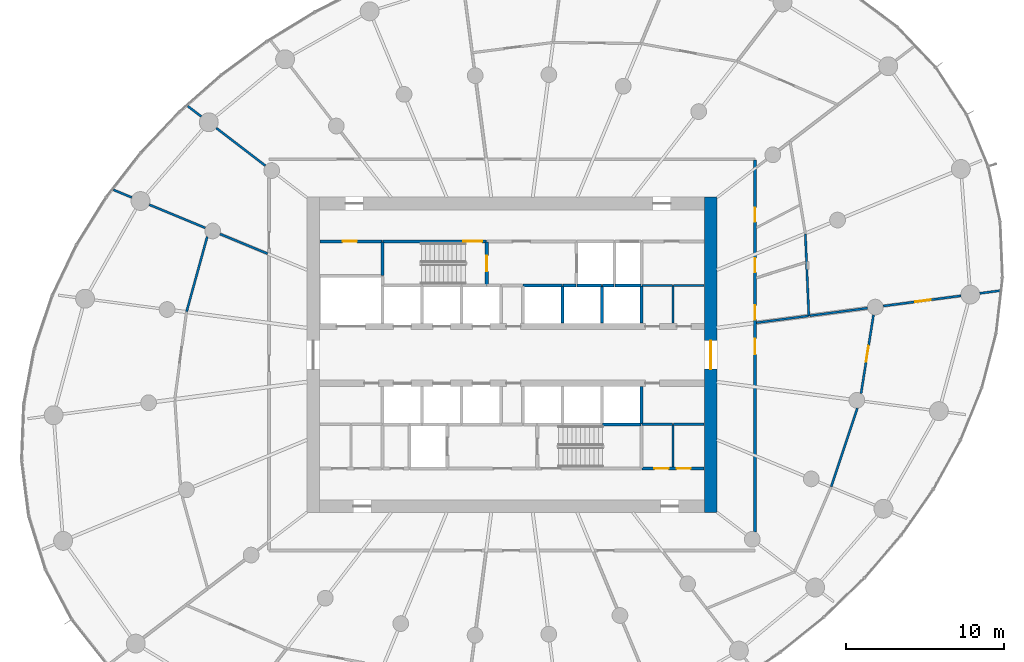
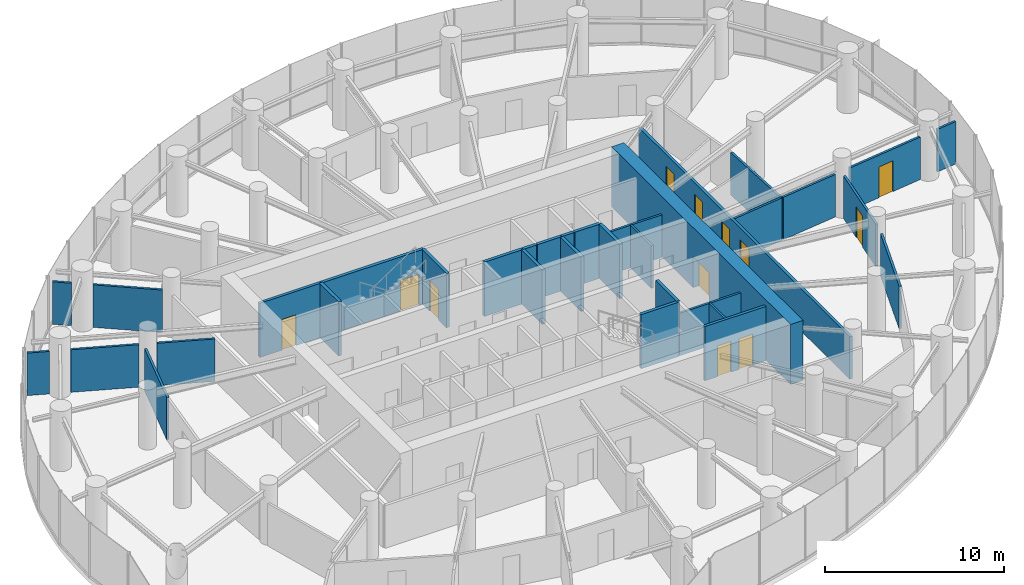
# One storey, part 12 of 17: 36 walls, 12 doors, 12 openings.
"""IFC4 building model written with IfcOpenShell, lengths in metres."""

from ifc_helpers import new_model, si_unit, direction, frame, frame_2d, origin, place, context, subcontext, project, spatial, rectangle, extrude, source, transform, mapped, material, layer, layer_set, type_object, element, fill, save


model = new_model("IFC4")

# Units and contexts
model_context = context("Model", 3, precision=1e-05, world=origin(), true_north=direction((0.0, 1.0)))
body_context = subcontext(model_context, "Body", "Model", "MODEL_VIEW")
ifc_project = project(units=[si_unit("LENGTHUNIT", "METRE"), si_unit("AREAUNIT", "SQUARE_METRE"), si_unit("VOLUMEUNIT", "CUBIC_METRE"), si_unit("PLANEANGLEUNIT", "RADIAN"), si_unit("MASSUNIT", "GRAM", prefix="KILO")], contexts=[model_context])

# Site, building, storey
site_placement = place(None, origin())
site = spatial("IfcSite", under=ifc_project, at=site_placement, CompositionType="ELEMENT")
building_placement = place(site_placement, origin())
building = spatial("IfcBuilding", under=site, at=building_placement, Name="Spindrift Exchange Tower", CompositionType="ELEMENT")
storey_placement = place(building_placement, frame((0.0, 0.0, 112.60009765625)))
storey = spatial("IfcBuildingStorey", under=building, at=storey_placement, Name="L26", CompositionType="ELEMENT", Elevation=112.60009765625)

# Wall, opening, door
ifc_material_1 = material(Name="Concrete 65 MPa", Category="concrete")
ifc_layer_1 = layer(ifc_material_1, 0.800048828125)
ifc_layer_set_1 = layer_set([ifc_layer_1], Name="RC Core Wall 800 Concrete 65 MPa")
wall_type_1 = type_object("IfcWallType", Name="RC Core Wall 800 Concrete 65 MPa", PredefinedType="SHEAR", material=ifc_layer_set_1)
wall_1_placement = place(storey_placement, frame((64.60009765625, 38.0, 0.0), z_axis=(0.0, 0.0, 1.0), x_axis=(0.0, 1.0, 0.0)))
wall_1 = element("IfcWall", 1, at=wall_1_placement, inside=storey, type_object=wall_type_1, Name="Core wall E L26", PredefinedType="SHEAR", context=body_context, shape_type="SweptSolid", body=[
    extrude(rectangle(XDim=20.0, YDim=0.800048828125, at=frame_2d((10.0, 0.0))), origin(), (0.0, 0.0, 1.0), 4.099853515625),
])
opening_1_placement = place(wall_1_placement, frame((9.10009765625, 0.0, 0.0)))
opening_1 = element("IfcOpeningElement", 2, at=opening_1_placement, cuts=wall_1, Name="Opening L26-D2", PredefinedType="OPENING", context=body_context, shape_type="SweptSolid", body=[
    extrude(rectangle(XDim=1.800048828125, YDim=2.10009765625, at=frame_2d((0.89990234375, 1.050048828125))), frame((0.0, 0.409912109375, 0.0), z_axis=(0.0, -1.0, 0.0), x_axis=(1.0, 0.0, 0.0)), (0.0, 0.0, 1.0), 0.820068359375),
])
ifc_material_2 = material(Name="Timber-core fire door", Category="wood")
door_type_1 = type_object("IfcDoorType", Name="DR-LOBBY-1800", OperationType="NOTDEFINED", PredefinedType="DOOR", material=ifc_material_2)
shared_shape_1 = source(origin(), body_context, "Body", "SweptSolid", [
    extrude(rectangle(XDim=1.800048828125, YDim=2.10009765625, at=frame_2d((0.89990234375, 1.050048828125))), frame((0.0, 0.02490234375, 0.0), z_axis=(0.0, -1.0, 0.0), x_axis=(1.0, 0.0, 0.0)), (0.0, 0.0, 1.0), 0.050048828125),
])
door_1_placement = place(opening_1_placement, origin())
door_1 = element("IfcDoor", 3, at=door_1_placement, inside=storey, type_object=door_type_1, Name="L26 Lobby door 2", OperationType="SINGLE_SWING_RIGHT", OverallHeight=2.10009765625, OverallWidth=1.800048828125, PredefinedType="DOOR", context=body_context, shape_type="MappedRepresentation", body=[
    mapped(shared_shape_1, transform((0.0, 0.0, 0.0), scale=1.0)),
])
fill(opening_1, door_1)

# Wall, openings, doors
ifc_material_3 = material(Name="Fire-rated plasterboard partition", Category="gypsum")
ifc_layer_2 = layer(ifc_material_3, 0.179931640625)
ifc_layer_set_2 = layer_set([ifc_layer_2], Name="W-CORR-180")
wall_type_2 = type_object("IfcWallType", Name="W-CORR-180", PredefinedType="PARTITIONING", material=ifc_layer_set_2)
wall_2_placement = place(storey_placement, frame((60.22998046875, 40.800048828125, 0.0), z_axis=(0.0, 0.0, 1.0), x_axis=(1.0, 0.0, 0.0)))
wall_2 = element("IfcWall", 4, at=wall_2_placement, inside=storey, type_object=wall_type_2, Name="L26 Partition wall 61", PredefinedType="PARTITIONING", context=body_context, shape_type="SweptSolid", body=[
    extrude(rectangle(XDim=3.949951171875, YDim=0.179931640625, at=frame_2d((1.97509765625, 0.0))), origin(), (0.0, 0.0, 1.0), 3.699951171875),
])
opening_2_placement = place(wall_2_placement, frame((0.800048828125, 0.0, 0.0)))
opening_2 = element("IfcOpeningElement", 5, at=opening_2_placement, cuts=wall_2, Name="Opening L26-D53", PredefinedType="OPENING", context=body_context, shape_type="SweptSolid", body=[
    extrude(rectangle(XDim=0.89990234375, YDim=2.10009765625, at=frame_2d((0.449951171875, 1.050048828125))), frame((0.0, 0.099853515625, 0.0), z_axis=(0.0, -1.0, 0.0), x_axis=(1.0, 0.0, 0.0)), (0.0, 0.0, 1.0), 0.199951171875),
])
opening_3_placement = place(wall_2_placement, frame((2.199951171875, 0.0, 0.0)))
opening_3 = element("IfcOpeningElement", 6, at=opening_3_placement, cuts=wall_2, Name="Opening L26-D54", PredefinedType="OPENING", context=body_context, shape_type="SweptSolid", body=[
    extrude(rectangle(XDim=0.89990234375, YDim=2.10009765625, at=frame_2d((0.449951171875, 1.050048828125))), frame((0.0, 0.099853515625, 0.0), z_axis=(0.0, -1.0, 0.0), x_axis=(1.0, 0.0, 0.0)), (0.0, 0.0, 1.0), 0.199951171875),
])
ifc_material_4 = material(Name="Steel access door", Category="steel")
door_type_2 = type_object("IfcDoorType", Name="DR-RISER-900", OperationType="NOTDEFINED", PredefinedType="DOOR", material=ifc_material_4)
shared_shape_2 = source(origin(), body_context, "Body", "SweptSolid", [
    extrude(rectangle(XDim=0.89990234375, YDim=2.10009765625, at=frame_2d((0.449951171875, 1.050048828125))), frame((0.0, 0.02490234375, 0.0), z_axis=(0.0, -1.0, 0.0), x_axis=(1.0, 0.0, 0.0)), (0.0, 0.0, 1.0), 0.050048828125),
])
door_2_placement = place(opening_2_placement, origin())
door_2 = element("IfcDoor", 7, at=door_2_placement, inside=storey, type_object=door_type_2, Name="L26 Riser door 53", OperationType="SINGLE_SWING_LEFT", OverallHeight=2.10009765625, OverallWidth=0.89990234375, PredefinedType="DOOR", context=body_context, shape_type="MappedRepresentation", body=[
    mapped(shared_shape_2, transform((0.0, 0.0, 0.0), scale=1.0)),
])
fill(opening_2, door_2)
door_3_placement = place(opening_3_placement, origin())
door_3 = element("IfcDoor", 8, at=door_3_placement, inside=storey, type_object=door_type_2, Name="L26 Riser door 54", OperationType="SINGLE_SWING_RIGHT", OverallHeight=2.10009765625, OverallWidth=0.89990234375, PredefinedType="DOOR", context=body_context, shape_type="MappedRepresentation", body=[
    mapped(shared_shape_2, transform((0.0, 0.0, 0.0), scale=1.0)),
])
fill(opening_3, door_3)

# Wall, opening, door
wall_3_placement = place(storey_placement, frame((43.77001953125, 55.199951171875, 0.0), z_axis=(0.0, 0.0, 1.0), x_axis=(-1.0, 0.0, 0.0)))
wall_3 = element("IfcWall", 9, at=wall_3_placement, inside=storey, type_object=wall_type_2, Name="L26 Partition wall 64", PredefinedType="PARTITIONING", context=body_context, shape_type="SweptSolid", body=[
    extrude(rectangle(XDim=3.949951171875, YDim=0.179931640625, at=frame_2d((1.97509765625, 0.0))), origin(), (0.0, 0.0, 1.0), 3.699951171875),
])
opening_4_placement = place(wall_3_placement, frame((1.60009765625, 0.0, 0.0)))
opening_4 = element("IfcOpeningElement", 10, at=opening_4_placement, cuts=wall_3, Name="Opening L26-D46", PredefinedType="OPENING", context=body_context, shape_type="SweptSolid", body=[
    extrude(rectangle(XDim=0.89990234375, YDim=2.10009765625, at=frame_2d((0.449951171875, 1.050048828125))), frame((0.0, 0.099853515625, 0.0), z_axis=(0.0, -1.0, 0.0), x_axis=(1.0, 0.0, 0.0)), (0.0, 0.0, 1.0), 0.199951171875),
])
door_4_placement = place(opening_4_placement, origin())
door_4 = element("IfcDoor", 11, at=door_4_placement, inside=storey, type_object=door_type_2, Name="L26 Riser door 46", OperationType="SINGLE_SWING_RIGHT", OverallHeight=2.10009765625, OverallWidth=0.89990234375, PredefinedType="DOOR", context=body_context, shape_type="MappedRepresentation", body=[
    mapped(shared_shape_2, transform((0.0, 0.0, 0.0), scale=1.0)),
])
fill(opening_4, door_4)

# Walls
ifc_layer_3 = layer(ifc_material_3, 0.139892578125)
ifc_layer_set_3 = layer_set([ifc_layer_3], Name="W-PART-140")
wall_type_3 = type_object("IfcWallType", Name="W-PART-140", PredefinedType="PARTITIONING", material=ifc_layer_set_3)
wall_4_placement = place(storey_placement, frame((62.199951171875, 40.889892578125, 0.0), z_axis=(0.0, 0.0, 1.0), x_axis=(0.0, 1.0, 0.0)))
element("IfcWall", 12, at=wall_4_placement, inside=storey, type_object=wall_type_3, Name="L26 Partition wall 105", PredefinedType="PARTITIONING", context=body_context, shape_type="SweptSolid", body=[
    extrude(rectangle(XDim=2.710205078125, YDim=0.139892578125, at=frame_2d((1.35498046875, 0.0))), origin(), (0.0, 0.0, 1.0), 2.89990234375),
])
wall_5_placement = place(storey_placement, frame((62.199951171875, 50.010009765625, 0.0), z_axis=(0.0, 0.0, 1.0), x_axis=(0.0, 1.0, 0.0)))
element("IfcWall", 13, at=wall_5_placement, inside=storey, type_object=wall_type_3, Name="L26 Partition wall 107", PredefinedType="PARTITIONING", context=body_context, shape_type="SweptSolid", body=[
    extrude(rectangle(XDim=2.389892578125, YDim=0.139892578125, at=frame_2d((1.19482421875, 0.0))), origin(), (0.0, 0.0, 1.0), 2.89990234375),
])
for number, where, z_axis, x_axis, name in (
    (14, (60.22998046875, 43.60009765625, 0.0), (0.0, 0.0, 1.0), (1.0, 0.0, 0.0), "L26 Partition wall 111"),
    (15, (62.169921875, 52.39990234375, 0.0), (0.0, 0.0, 1.0), (-1.0, 0.0, 0.0), "L26 Partition wall 112"),
):
    element("IfcWall", number, at=place(storey_placement, frame(where, z_axis=z_axis, x_axis=x_axis)), inside=storey, type_object=wall_type_3, Name=name, PredefinedType="PARTITIONING", context=body_context, shape_type="SweptSolid", body=[
        extrude(rectangle(XDim=1.93994140625, YDim=0.139892578125, at=frame_2d((0.969970703125, 0.0))), origin(), (0.0, 0.0, 1.0), 2.89990234375),
    ])
for number, where, z_axis, x_axis, name in (
    (16, (62.22998046875, 43.60009765625, 0.0), (0.0, 0.0, 1.0), (1.0, 0.0, 0.0), "L26 Partition wall 113"),
    (17, (64.179931640625, 52.39990234375, 0.0), (0.0, 0.0, 1.0), (-1.0, 0.0, 0.0), "L26 Partition wall 114"),
):
    element("IfcWall", number, at=place(storey_placement, frame(where, z_axis=z_axis, x_axis=x_axis)), inside=storey, type_object=wall_type_3, Name=name, PredefinedType="PARTITIONING", context=body_context, shape_type="SweptSolid", body=[
        extrude(rectangle(XDim=1.949951171875, YDim=0.139892578125, at=frame_2d((0.97509765625, 0.0))), origin(), (0.0, 0.0, 1.0), 2.89990234375),
    ])
ifc_layer_4 = layer(ifc_material_3, 0.139892578125)
ifc_layer_set_4 = layer_set([ifc_layer_4], Name="W-PLANT-140")
wall_type_4 = type_object("IfcWallType", Name="W-PLANT-140", PredefinedType="PARTITIONING", material=ifc_layer_set_4)
wall_6_placement = place(storey_placement, frame((72.231689453125, 39.652099609375, 0.0), z_axis=(0.0, 0.0, 1.0), x_axis=(0.317667743924, 0.948202090522, 0.0)))
element("IfcWall", 18, at=wall_6_placement, inside=storey, type_object=wall_type_4, Name="L26 Partition wall 77", PredefinedType="PARTITIONING", context=body_context, shape_type="SweptSolid", body=[
    extrude(rectangle(XDim=5.237548828125, YDim=0.139892578125, at=frame_2d((2.61865234375, 0.0))), origin(), (0.0, 0.0, 1.0), 2.89990234375),
])
wall_7_placement = place(storey_placement, frame((70.81787109375, 50.477294921875, 0.0), z_axis=(0.0, 0.0, 1.0), x_axis=(-0.042585515892, 0.999092825435, 0.0)))
element("IfcWall", 19, at=wall_7_placement, inside=storey, type_object=wall_type_4, Name="L26 Partition wall 78", PredefinedType="PARTITIONING", context=body_context, shape_type="SweptSolid", body=[
    extrude(rectangle(XDim=5.19970703125, YDim=0.139892578125, at=frame_2d((2.599853515625, 0.0))), origin(), (0.0, 0.0, 1.0), 2.89990234375),
])

# Wall, opening, door
wall_8_placement = place(storey_placement, frame((74.917724609375, 50.54150390625, 0.0), z_axis=(0.0, 0.0, 1.0), x_axis=(-0.156369508579, -0.987698626498, 0.0)))
wall_8 = element("IfcWall", 20, at=wall_8_placement, inside=storey, type_object=wall_type_4, Name="L26 Partition wall 80", PredefinedType="PARTITIONING", context=body_context, shape_type="SweptSolid", body=[
    extrude(rectangle(XDim=5.052490234375, YDim=0.139892578125, at=frame_2d((2.5263671875, 0.0))), origin(), (0.0, 0.0, 1.0), 2.89990234375),
])
opening_5_placement = place(wall_8_placement, frame((2.00244140625, 0.0, 0.0)))
opening_5 = element("IfcOpeningElement", 21, at=opening_5_placement, cuts=wall_8, Name="Opening L26-D45", PredefinedType="OPENING", context=body_context, shape_type="SweptSolid", body=[
    extrude(rectangle(XDim=1.0, YDim=2.10009765625, at=frame_2d((0.5, 1.050048828125))), frame((0.0, 0.079833984375, 0.0), z_axis=(0.0, -1.0, 0.0), x_axis=(1.0, 0.0, 0.0)), (0.0, 0.0, 1.0), 0.159912109375),
])
door_type_3 = type_object("IfcDoorType", Name="DR-ROOM-1000", OperationType="NOTDEFINED", PredefinedType="DOOR", material=ifc_material_2)
shared_shape_3 = source(origin(), body_context, "Body", "SweptSolid", [
    extrude(rectangle(XDim=1.0, YDim=2.10009765625, at=frame_2d((0.5, 1.050048828125))), frame((0.0, 0.02490234375, 0.0), z_axis=(0.0, -1.0, 0.0), x_axis=(1.0, 0.0, 0.0)), (0.0, 0.0, 1.0), 0.050048828125),
])
door_5_placement = place(opening_5_placement, origin())
door_5 = element("IfcDoor", 22, at=door_5_placement, inside=storey, type_object=door_type_3, Name="L26 Door 45", OperationType="SINGLE_SWING_LEFT", OverallHeight=2.10009765625, OverallWidth=1.0, PredefinedType="DOOR", context=body_context, shape_type="MappedRepresentation", body=[
    mapped(shared_shape_3, transform((0.0, 0.0, 0.0), scale=1.0)),
])
fill(opening_5, door_5)

wall_9_placement = place(storey_placement, frame((75.533935546875, 51.098388671875, 0.0), z_axis=(0.0, 0.0, 1.0), x_axis=(0.991443414541, 0.130537181533, 0.0)))
wall_9 = element("IfcWall", 23, at=wall_9_placement, inside=storey, type_object=wall_type_4, Name="L26 Partition wall 81", PredefinedType="PARTITIONING", context=body_context, shape_type="SweptSolid", body=[
    extrude(rectangle(XDim=4.965576171875, YDim=0.139892578125, at=frame_2d((2.48291015625, 0.0))), origin(), (0.0, 0.0, 1.0), 2.89990234375),
])
opening_6_placement = place(wall_9_placement, frame((2.050048828125, 0.0, 0.0)))
opening_6 = element("IfcOpeningElement", 24, at=opening_6_placement, cuts=wall_9, Name="Opening L26-D32", PredefinedType="OPENING", context=body_context, shape_type="SweptSolid", body=[
    extrude(rectangle(XDim=1.0, YDim=2.10009765625, at=frame_2d((0.5, 1.050048828125))), frame((0.0, 0.079833984375, 0.0), z_axis=(0.0, -1.0, 0.0), x_axis=(1.0, 0.0, 0.0)), (0.0, 0.0, 1.0), 0.159912109375),
])
door_6_placement = place(opening_6_placement, origin())
door_6 = element("IfcDoor", 25, at=door_6_placement, inside=storey, type_object=door_type_3, Name="L26 Door 32", OperationType="SINGLE_SWING_RIGHT", OverallHeight=2.10009765625, OverallWidth=1.0, PredefinedType="DOOR", context=body_context, shape_type="MappedRepresentation", body=[
    mapped(shared_shape_3, transform((0.0, 0.0, 0.0), scale=1.0)),
])
fill(opening_6, door_6)

# Walls
wall_10_placement = place(storey_placement, frame((32.68115234375, 55.491943359375, 0.0), z_axis=(0.0, 0.0, 1.0), x_axis=(-0.265604811496, -0.964081990346, 0.0)))
element("IfcWall", 26, at=wall_10_placement, inside=storey, type_object=wall_type_4, Name="L26 Partition wall 82", PredefinedType="PARTITIONING", context=body_context, shape_type="SweptSolid", body=[
    extrude(rectangle(XDim=4.923095703125, YDim=0.139892578125, at=frame_2d((2.46142578125, 0.0))), origin(), (0.0, 0.0, 1.0), 2.89990234375),
])
wall_11_placement = place(storey_placement, frame((36.367431640625, 59.995361328125, 0.0), z_axis=(0.0, 0.0, 1.0), x_axis=(-0.793362528146, 0.608749454977, 0.0)))
element("IfcWall", 27, at=wall_11_placement, inside=storey, type_object=wall_type_4, Name="L26 Partition wall 94", PredefinedType="PARTITIONING", context=body_context, shape_type="SweptSolid", body=[
    extrude(rectangle(XDim=3.9169921875, YDim=0.139892578125, at=frame_2d((1.95849609375, 0.0))), origin(), (0.0, 0.0, 1.0), 2.89990234375),
])
wall_12_placement = place(storey_placement, frame((32.560791015625, 56.052001953125, 0.0), z_axis=(0.0, 0.0, 1.0), x_axis=(-0.923885171168, 0.38266981916, 0.0)))
element("IfcWall", 28, at=wall_12_placement, inside=storey, type_object=wall_type_4, Name="L26 Partition wall 96", PredefinedType="PARTITIONING", context=body_context, shape_type="SweptSolid", body=[
    extrude(rectangle(XDim=3.842041015625, YDim=0.139892578125, at=frame_2d((1.9208984375, 0.0))), origin(), (0.0, 0.0, 1.0), 2.89990234375),
])
wall_13_placement = place(storey_placement, frame((70.887451171875, 50.486572265625, 0.0), z_axis=(0.0, 0.0, 1.0), x_axis=(0.991446837572, 0.130511180627, 0.0)))
element("IfcWall", 29, at=wall_13_placement, inside=storey, type_object=wall_type_4, Name="L26 Partition wall 98", PredefinedType="PARTITIONING", context=body_context, shape_type="SweptSolid", body=[
    extrude(rectangle(XDim=3.677734375, YDim=0.139892578125, at=frame_2d((1.8388671875, 0.0))), origin(), (0.0, 0.0, 1.0), 2.89990234375),
])
wall_14_placement = place(storey_placement, frame((67.489990234375, 50.039306640625, 0.0), z_axis=(0.0, 0.0, 1.0), x_axis=(0.991449548651, 0.13049058387, 0.0)))
element("IfcWall", 30, at=wall_14_placement, inside=storey, type_object=wall_type_4, Name="L26 Partition wall 99", PredefinedType="PARTITIONING", context=body_context, shape_type="SweptSolid", body=[
    extrude(rectangle(XDim=3.32666015625, YDim=0.139892578125, at=frame_2d((1.663330078125, 0.0))), origin(), (0.0, 0.0, 1.0), 2.89990234375),
])
wall_15_placement = place(storey_placement, frame((36.510009765625, 54.416259765625, 0.0), z_axis=(0.0, 0.0, 1.0), x_axis=(-0.923911109142, 0.382607190737, 0.0)))
element("IfcWall", 31, at=wall_15_placement, inside=storey, type_object=wall_type_4, Name="L26 Partition wall 102", PredefinedType="PARTITIONING", context=body_context, shape_type="SweptSolid", body=[
    extrude(rectangle(XDim=3.264404296875, YDim=0.139892578125, at=frame_2d((1.63232421875, 0.0))), origin(), (0.0, 0.0, 1.0), 2.89990234375),
])
wall_16_placement = place(storey_placement, frame((81.655517578125, 51.904296875, 0.0), z_axis=(0.0, 0.0, 1.0), x_axis=(0.991451077066, 0.130478970661, 0.0)))
element("IfcWall", 32, at=wall_16_placement, inside=storey, type_object=wall_type_4, Name="L26 Partition wall 127", PredefinedType="PARTITIONING", context=body_context, shape_type="SweptSolid", body=[
    extrude(rectangle(XDim=1.291015625, YDim=0.139892578125, at=frame_2d((0.6455078125, 0.0))), origin(), (0.0, 0.0, 1.0), 2.89990234375),
])
wall_17_placement = place(storey_placement, frame((27.893310546875, 57.9853515625, 0.0), z_axis=(0.0, 0.0, 1.0), x_axis=(-0.92389335771, 0.382650053678, 0.0)))
element("IfcWall", 33, at=wall_17_placement, inside=storey, type_object=wall_type_4, Name="L26 Partition wall 128", PredefinedType="PARTITIONING", context=body_context, shape_type="SweptSolid", body=[
    extrude(rectangle(XDim=1.253173828125, YDim=0.139892578125, at=frame_2d((0.62646484375, 0.0))), origin(), (0.0, 0.0, 1.0), 2.89990234375),
])
wall_18_placement = place(storey_placement, frame((32.30078125, 63.11572265625, 0.0), z_axis=(0.0, 0.0, 1.0), x_axis=(-0.793283750572, 0.608852109365, 0.0)))
element("IfcWall", 34, at=wall_18_placement, inside=storey, type_object=wall_type_4, Name="L26 Partition wall 130", PredefinedType="PARTITIONING", context=body_context, shape_type="SweptSolid", body=[
    extrude(rectangle(XDim=1.072265625, YDim=0.139892578125, at=frame_2d((0.5361328125, 0.0))), origin(), (0.0, 0.0, 1.0), 2.89990234375),
])

# Wall, openings, doors
ifc_layer_5 = layer(ifc_material_3, 0.179931640625)
ifc_layer_set_5 = layer_set([ifc_layer_5], Name="W-PLANT-180")
wall_type_5 = type_object("IfcWallType", Name="W-PLANT-180", PredefinedType="PARTITIONING", material=ifc_layer_set_5)
wall_19_placement = place(storey_placement, frame((67.39990234375, 60.3701171875, 0.0), z_axis=(0.0, 0.0, 1.0), x_axis=(0.0, -1.0, 0.0)))
wall_19 = element("IfcWall", 35, at=wall_19_placement, inside=storey, type_object=wall_type_5, Name="L26 Partition wall 59", PredefinedType="PARTITIONING", context=body_context, shape_type="SweptSolid", body=[
    extrude(rectangle(XDim=23.58251953125, YDim=0.179931640625, at=frame_2d((11.791259765625, 0.0))), origin(), (0.0, 0.0, 1.0), 2.89990234375),
])
opening_7_placement = place(wall_19_placement, frame((9.232421875, 0.0, 0.0)))
opening_7 = element("IfcOpeningElement", 36, at=opening_7_placement, cuts=wall_19, Name="Opening L26-D24", PredefinedType="OPENING", context=body_context, shape_type="SweptSolid", body=[
    extrude(rectangle(XDim=0.89990234375, YDim=2.10009765625, at=frame_2d((0.449951171875, 1.050048828125))), frame((0.0, 0.099853515625, 0.0), z_axis=(0.0, -1.0, 0.0), x_axis=(1.0, 0.0, 0.0)), (0.0, 0.0, 1.0), 0.199951171875),
])
opening_8_placement = place(wall_19_placement, frame((6.232421875, 0.0, 0.0)))
opening_8 = element("IfcOpeningElement", 37, at=opening_8_placement, cuts=wall_19, Name="Opening L26-D25", PredefinedType="OPENING", context=body_context, shape_type="SweptSolid", body=[
    extrude(rectangle(XDim=0.89990234375, YDim=2.10009765625, at=frame_2d((0.449951171875, 1.050048828125))), frame((0.0, 0.099853515625, 0.0), z_axis=(0.0, -1.0, 0.0), x_axis=(1.0, 0.0, 0.0)), (0.0, 0.0, 1.0), 0.199951171875),
])
opening_9_placement = place(wall_19_placement, frame((3.032470703125, 0.0, 0.0)))
opening_9 = element("IfcOpeningElement", 38, at=opening_9_placement, cuts=wall_19, Name="Opening L26-D26", PredefinedType="OPENING", context=body_context, shape_type="SweptSolid", body=[
    extrude(rectangle(XDim=0.89990234375, YDim=2.10009765625, at=frame_2d((0.449951171875, 1.050048828125))), frame((0.0, 0.099853515625, 0.0), z_axis=(0.0, -1.0, 0.0), x_axis=(1.0, 0.0, 0.0)), (0.0, 0.0, 1.0), 0.199951171875),
])
opening_10_placement = place(wall_19_placement, frame((11.33251953125, 0.0, 0.0)))
opening_10 = element("IfcOpeningElement", 39, at=opening_10_placement, cuts=wall_19, Name="Opening L26-D44", PredefinedType="OPENING", context=body_context, shape_type="SweptSolid", body=[
    extrude(rectangle(XDim=1.0, YDim=2.10009765625, at=frame_2d((0.5, 1.050048828125))), frame((0.0, 0.099853515625, 0.0), z_axis=(0.0, -1.0, 0.0), x_axis=(1.0, 0.0, 0.0)), (0.0, 0.0, 1.0), 0.199951171875),
])
door_7_placement = place(opening_10_placement, origin())
door_7 = element("IfcDoor", 40, at=door_7_placement, inside=storey, type_object=door_type_3, Name="L26 Door 44", OperationType="SINGLE_SWING_RIGHT", OverallHeight=2.10009765625, OverallWidth=1.0, PredefinedType="DOOR", context=body_context, shape_type="MappedRepresentation", body=[
    mapped(shared_shape_3, transform((0.0, 0.0, 0.0), scale=1.0)),
])
fill(opening_10, door_7)
ifc_material_5 = material(Name="Laminate washroom door", Category="wood")
door_type_4 = type_object("IfcDoorType", Name="DR-WC-900", OperationType="NOTDEFINED", PredefinedType="DOOR", material=ifc_material_5)
shared_shape_4 = source(origin(), body_context, "Body", "SweptSolid", [
    extrude(rectangle(XDim=0.89990234375, YDim=2.10009765625, at=frame_2d((0.449951171875, 1.050048828125))), frame((0.0, 0.02490234375, 0.0), z_axis=(0.0, -1.0, 0.0), x_axis=(1.0, 0.0, 0.0)), (0.0, 0.0, 1.0), 0.050048828125),
])
door_8_placement = place(opening_7_placement, origin())
door_8 = element("IfcDoor", 41, at=door_8_placement, inside=storey, type_object=door_type_4, Name="L26 WC door 24", OperationType="SINGLE_SWING_RIGHT", OverallHeight=2.10009765625, OverallWidth=0.89990234375, PredefinedType="DOOR", context=body_context, shape_type="MappedRepresentation", body=[
    mapped(shared_shape_4, transform((0.0, 0.0, 0.0), scale=1.0)),
])
fill(opening_7, door_8)
door_9_placement = place(opening_8_placement, origin())
door_9 = element("IfcDoor", 42, at=door_9_placement, inside=storey, type_object=door_type_4, Name="L26 WC door 25", OperationType="SINGLE_SWING_LEFT", OverallHeight=2.10009765625, OverallWidth=0.89990234375, PredefinedType="DOOR", context=body_context, shape_type="MappedRepresentation", body=[
    mapped(shared_shape_4, transform((0.0, 0.0, 0.0), scale=1.0)),
])
fill(opening_8, door_9)
door_10_placement = place(opening_9_placement, origin())
door_10 = element("IfcDoor", 43, at=door_10_placement, inside=storey, type_object=door_type_4, Name="L26 WC door 26", OperationType="SINGLE_SWING_RIGHT", OverallHeight=2.10009765625, OverallWidth=0.89990234375, PredefinedType="DOOR", context=body_context, shape_type="MappedRepresentation", body=[
    mapped(shared_shape_4, transform((0.0, 0.0, 0.0), scale=1.0)),
])
fill(opening_9, door_10)

# Walls
ifc_material_6 = material(Name="Concrete 40 MPa", Category="concrete")
ifc_layer_6 = layer(ifc_material_6, 0.199951171875)
ifc_layer_set_6 = layer_set([ifc_layer_6], Name="W-SHAFT-200")
wall_type_6 = type_object("IfcWallType", Name="W-SHAFT-200", PredefinedType="SOLIDWALL", material=ifc_layer_set_6)
wall_20_placement = place(storey_placement, frame((55.199951171875, 52.39990234375, 0.0), z_axis=(0.0, 0.0, 1.0), x_axis=(-1.0, 0.0, 0.0)))
element("IfcWall", 44, at=wall_20_placement, inside=storey, type_object=wall_type_6, Name="L26 Shaft wall 18", PredefinedType="SOLIDWALL", context=body_context, shape_type="SweptSolid", body=[
    extrude(rectangle(XDim=2.5, YDim=0.199951171875, at=frame_2d((1.25, 0.0))), origin(), (0.0, 0.0, 1.0), 3.699951171875),
])
wall_21_placement = place(storey_placement, frame((55.199951171875, 50.010009765625, 0.0), z_axis=(0.0, 0.0, 1.0), x_axis=(0.0, 1.0, 0.0)))
element("IfcWall", 45, at=wall_21_placement, inside=storey, type_object=wall_type_6, Name="L26 Shaft wall 34", PredefinedType="SOLIDWALL", context=body_context, shape_type="SweptSolid", body=[
    extrude(rectangle(XDim=2.360107421875, YDim=0.199951171875, at=frame_2d((1.18017578125, 0.0))), origin(), (0.0, 0.0, 1.0), 3.699951171875),
])
wall_22_placement = place(storey_placement, frame((57.699951171875, 50.010009765625, 0.0), z_axis=(0.0, 0.0, 1.0), x_axis=(0.0, 1.0, 0.0)))
element("IfcWall", 46, at=wall_22_placement, inside=storey, type_object=wall_type_6, Name="L26 Shaft wall 36", PredefinedType="SOLIDWALL", context=body_context, shape_type="SweptSolid", body=[
    extrude(rectangle(XDim=2.389892578125, YDim=0.199951171875, at=frame_2d((1.19482421875, 0.0))), origin(), (0.0, 0.0, 1.0), 3.699951171875),
])
wall_23_placement = place(storey_placement, frame((60.199951171875, 50.010009765625, 0.0), z_axis=(0.0, 0.0, 1.0), x_axis=(0.0, 1.0, 0.0)))
element("IfcWall", 47, at=wall_23_placement, inside=storey, type_object=wall_type_6, Name="L26 Shaft wall 38", PredefinedType="SOLIDWALL", context=body_context, shape_type="SweptSolid", body=[
    extrude(rectangle(XDim=2.360107421875, YDim=0.199951171875, at=frame_2d((1.18017578125, 0.0))), origin(), (0.0, 0.0, 1.0), 3.699951171875),
])
wall_24_placement = place(storey_placement, frame((60.169921875, 52.39990234375, 0.0), z_axis=(0.0, 0.0, 1.0), x_axis=(-1.0, 0.0, 0.0)))
element("IfcWall", 48, at=wall_24_placement, inside=storey, type_object=wall_type_6, Name="L26 Shaft wall 42", PredefinedType="SOLIDWALL", context=body_context, shape_type="SweptSolid", body=[
    extrude(rectangle(XDim=1.639892578125, YDim=0.199951171875, at=frame_2d((0.81982421875, 0.0))), origin(), (0.0, 0.0, 1.0), 3.699951171875),
])
wall_25_placement = place(storey_placement, frame((57.669921875, 52.39990234375, 0.0), z_axis=(0.0, 0.0, 1.0), x_axis=(-1.0, 0.0, 0.0)))
element("IfcWall", 49, at=wall_25_placement, inside=storey, type_object=wall_type_6, Name="L26 Shaft wall 47", PredefinedType="SOLIDWALL", context=body_context, shape_type="SweptSolid", body=[
    extrude(rectangle(XDim=1.5400390625, YDim=0.199951171875, at=frame_2d((0.77001953125, 0.0))), origin(), (0.0, 0.0, 1.0), 3.699951171875),
])
wall_26_placement = place(storey_placement, frame((56.070068359375, 52.39990234375, 0.0), z_axis=(0.0, 0.0, 1.0), x_axis=(-1.0, 0.0, 0.0)))
element("IfcWall", 50, at=wall_26_placement, inside=storey, type_object=wall_type_6, Name="L26 Shaft wall 53", PredefinedType="SOLIDWALL", context=body_context, shape_type="SweptSolid", body=[
    extrude(rectangle(XDim=0.840087890625, YDim=0.199951171875, at=frame_2d((0.419921875, 0.0))), origin(), (0.0, 0.0, 1.0), 3.699951171875),
])
wall_27_placement = place(storey_placement, frame((58.469970703125, 52.39990234375, 0.0), z_axis=(0.0, 0.0, 1.0), x_axis=(-1.0, 0.0, 0.0)))
element("IfcWall", 51, at=wall_27_placement, inside=storey, type_object=wall_type_6, Name="L26 Shaft wall 55", PredefinedType="SOLIDWALL", context=body_context, shape_type="SweptSolid", body=[
    extrude(rectangle(XDim=0.739990234375, YDim=0.199951171875, at=frame_2d((0.3701171875, 0.0))), origin(), (0.0, 0.0, 1.0), 3.699951171875),
])

# Wall, opening, door
ifc_layer_7 = layer(ifc_material_6, 0.199951171875)
ifc_layer_set_7 = layer_set([ifc_layer_7], Name="W-SHAFT-200-LB")
wall_type_7 = type_object("IfcWallType", Name="W-SHAFT-200-LB", PredefinedType="SOLIDWALL", material=ifc_layer_set_7)
wall_28_placement = place(storey_placement, frame((50.39990234375, 55.199951171875, 0.0), z_axis=(0.0, 0.0, 1.0), x_axis=(-1.0, 0.0, 0.0)))
wall_28 = element("IfcWall", 52, at=wall_28_placement, inside=storey, type_object=wall_type_7, Name="L26 Shaft wall 1", PredefinedType="SOLIDWALL", context=body_context, shape_type="SweptSolid", body=[
    extrude(rectangle(XDim=6.599853515625, YDim=0.199951171875, at=frame_2d((3.2998046875, 0.0))), origin(), (0.0, 0.0, 1.0), 3.699951171875),
])
opening_11_placement = place(wall_28_placement, frame((0.300048828125, 0.0, 0.0)))
opening_11 = element("IfcOpeningElement", 53, at=opening_11_placement, cuts=wall_28, Name="Opening L26-D13", PredefinedType="OPENING", context=body_context, shape_type="SweptSolid", body=[
    extrude(rectangle(XDim=1.199951171875, YDim=2.10009765625, at=frame_2d((0.60009765625, 1.050048828125))), frame((0.0, 0.10986328125, 0.0), z_axis=(0.0, -1.0, 0.0), x_axis=(1.0, 0.0, 0.0)), (0.0, 0.0, 1.0), 0.219970703125),
])
ifc_material_7 = material(Name="Steel fire door", Category="steel")
door_type_5 = type_object("IfcDoorType", Name="DR-STAIR-1200", OperationType="NOTDEFINED", PredefinedType="DOOR", material=ifc_material_7)
shared_shape_5 = source(origin(), body_context, "Body", "SweptSolid", [
    extrude(rectangle(XDim=1.199951171875, YDim=2.10009765625, at=frame_2d((0.60009765625, 1.050048828125))), frame((0.0, 0.02490234375, 0.0), z_axis=(0.0, -1.0, 0.0), x_axis=(1.0, 0.0, 0.0)), (0.0, 0.0, 1.0), 0.050048828125),
])
door_11_placement = place(opening_11_placement, origin())
door_11 = element("IfcDoor", 54, at=door_11_placement, inside=storey, type_object=door_type_5, Name="L26 Stair door 13", OperationType="SINGLE_SWING_LEFT", OverallHeight=2.10009765625, OverallWidth=1.199951171875, PredefinedType="DOOR", context=body_context, shape_type="MappedRepresentation", body=[
    mapped(shared_shape_5, transform((0.0, 0.0, 0.0), scale=1.0)),
])
fill(opening_11, door_11)

wall_29_placement = place(storey_placement, frame((50.39990234375, 52.39990234375, 0.0), z_axis=(0.0, 0.0, 1.0), x_axis=(0.0, 1.0, 0.0)))
wall_29 = element("IfcWall", 55, at=wall_29_placement, inside=storey, type_object=wall_type_7, Name="L26 Shaft wall 9", PredefinedType="SOLIDWALL", context=body_context, shape_type="SweptSolid", body=[
    extrude(rectangle(XDim=2.77001953125, YDim=0.199951171875, at=frame_2d((1.385009765625, 0.0))), origin(), (0.0, 0.0, 1.0), 3.699951171875),
])
opening_12_placement = place(wall_29_placement, frame((0.89990234375, 0.0, 0.0)))
opening_12 = element("IfcOpeningElement", 56, at=opening_12_placement, cuts=wall_29, Name="Opening L26-D14", PredefinedType="OPENING", context=body_context, shape_type="SweptSolid", body=[
    extrude(rectangle(XDim=1.0, YDim=2.10009765625, at=frame_2d((0.5, 1.050048828125))), frame((0.0, 0.10986328125, 0.0), z_axis=(0.0, -1.0, 0.0), x_axis=(1.0, 0.0, 0.0)), (0.0, 0.0, 1.0), 0.219970703125),
])
door_type_6 = type_object("IfcDoorType", Name="DR-STAIR-1000", OperationType="NOTDEFINED", PredefinedType="DOOR", material=ifc_material_7)
shared_shape_6 = source(origin(), body_context, "Body", "SweptSolid", [
    extrude(rectangle(XDim=1.0, YDim=2.10009765625, at=frame_2d((0.5, 1.050048828125))), frame((0.0, 0.02490234375, 0.0), z_axis=(0.0, -1.0, 0.0), x_axis=(1.0, 0.0, 0.0)), (0.0, 0.0, 1.0), 0.050048828125),
])
door_12_placement = place(opening_12_placement, origin())
door_12 = element("IfcDoor", 57, at=door_12_placement, inside=storey, type_object=door_type_6, Name="L26 Stair door 14", OperationType="SINGLE_SWING_RIGHT", OverallHeight=2.10009765625, OverallWidth=1.0, PredefinedType="DOOR", context=body_context, shape_type="MappedRepresentation", body=[
    mapped(shared_shape_6, transform((0.0, 0.0, 0.0), scale=1.0)),
])
fill(opening_12, door_12)

# Walls
wall_30_placement = place(storey_placement, frame((57.72998046875, 43.60009765625, 0.0), z_axis=(0.0, 0.0, 1.0), x_axis=(1.0, 0.0, 0.0)))
element("IfcWall", 58, at=wall_30_placement, inside=storey, type_object=wall_type_7, Name="L26 Shaft wall 20", PredefinedType="SOLIDWALL", context=body_context, shape_type="SweptSolid", body=[
    extrude(rectangle(XDim=2.43994140625, YDim=0.199951171875, at=frame_2d((1.219970703125, 0.0))), origin(), (0.0, 0.0, 1.0), 3.699951171875),
])
wall_31_placement = place(storey_placement, frame((60.199951171875, 43.6298828125, 0.0), z_axis=(0.0, 0.0, 1.0), x_axis=(0.0, 1.0, 0.0)))
element("IfcWall", 59, at=wall_31_placement, inside=storey, type_object=wall_type_7, Name="L26 Shaft wall 37", PredefinedType="SOLIDWALL", context=body_context, shape_type="SweptSolid", body=[
    extrude(rectangle(XDim=2.360107421875, YDim=0.199951171875, at=frame_2d((1.18017578125, 0.0))), origin(), (0.0, 0.0, 1.0), 3.699951171875),
])
wall_32_placement = place(storey_placement, frame((43.800048828125, 55.169921875, 0.0), z_axis=(0.0, 0.0, 1.0), x_axis=(0.0, -1.0, 0.0)))
element("IfcWall", 60, at=wall_32_placement, inside=storey, type_object=wall_type_7, Name="L26 Shaft wall 39", PredefinedType="SOLIDWALL", context=body_context, shape_type="SweptSolid", body=[
    extrude(rectangle(XDim=2.139892578125, YDim=0.199951171875, at=frame_2d((1.06982421875, 0.0))), origin(), (0.0, 0.0, 1.0), 3.699951171875),
])

save(model, "model.ifc")
